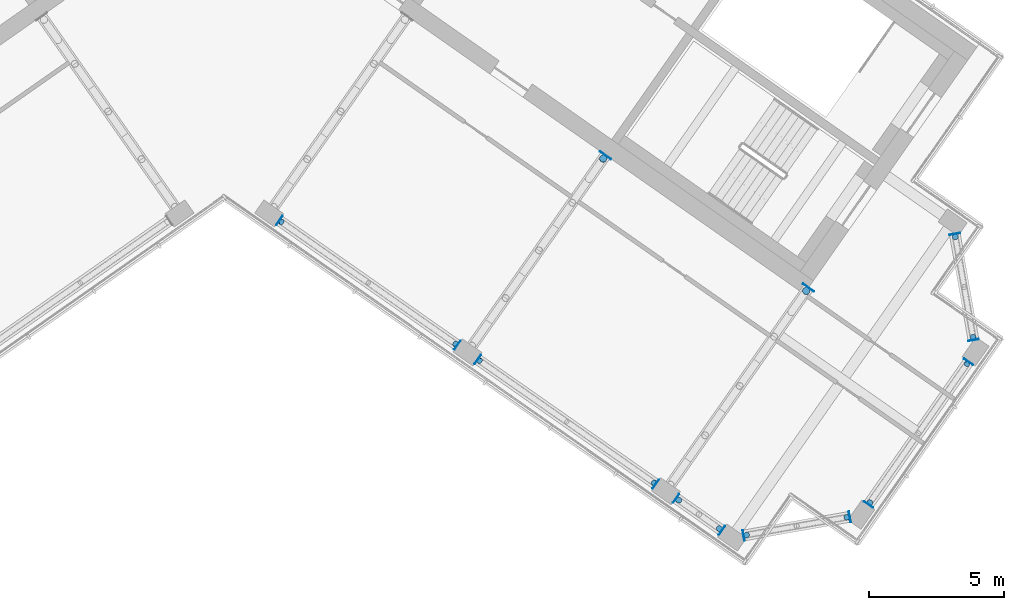
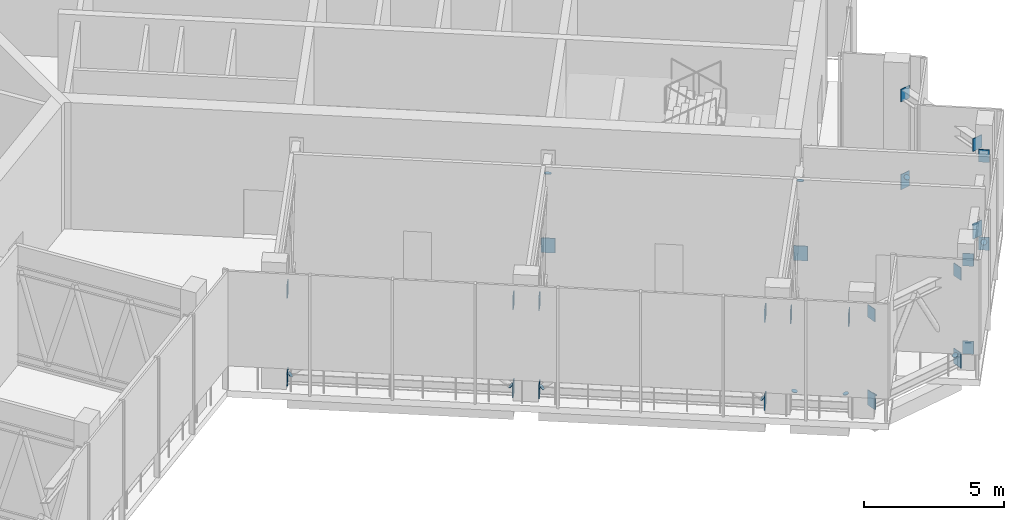
# One storey, part 10 of 16: 38 discrete accessories.
"""IFC4 building model written with IfcOpenShell, lengths in metres."""

import ifcopenshell
import ifcopenshell.guid

model = None  # the IFC model being written
_history = None  # IfcOwnerHistory: only IFC2X3 demands one
_inside = {}  # id of a spatial element -> (the spatial element, [elements in it])
_under = {}  # id of a project, library or spatial element -> (it, [spatial elements below it])
_declared = {}  # id of a project -> (the project, [libraries it declares])
_typed = {}  # id of a type object -> (the type object, [elements of that type])
_made_of = {}  # id of a material, layer set ... -> (it, [elements and type objects made of it])


def new_model(schema):
    """Start an empty IFC model of exactly this schema.

    Asked for "IFC4X3", IfcOpenShell would pick the latest addendum, in which some entities
    have other attributes; the version numbers below select the first issue.
    IFC2X3 requires an IfcOwnerHistory on every rooted entity: one is made here for all.
    """
    global model, _history
    if schema == "IFC4X3":
        model = ifcopenshell.file(schema_version=(4, 3, 0, 0))
    else:
        model = ifcopenshell.file(schema=schema)
    _inside.clear()
    _under.clear()
    _declared.clear()
    _typed.clear()
    _made_of.clear()
    _history = None
    if model.schema == "IFC2X3":
        org = make("IfcOrganization", Name="unknown")
        user = make(
            "IfcPersonAndOrganization",
            ThePerson=make("IfcPerson", FamilyName="unknown"),
            TheOrganization=org,
        )
        app = make(
            "IfcApplication",
            ApplicationDeveloper=org,
            Version="unknown",
            ApplicationFullName="unknown",
            ApplicationIdentifier="unknown",
        )
        _history = make(
            "IfcOwnerHistory",
            OwningUser=user,
            OwningApplication=app,
            ChangeAction="ADDED",
            CreationDate=0,
        )
    return model


def make(cls, **values):
    """One entity of the class cls with the attributes given. An attribute that is None is left unset."""
    return model.create_entity(
        cls, **{name: value for name, value in values.items() if value is not None}
    )


def rooted(cls, **values):
    """An entity with a GlobalId (a new one), such as an element, a storey or a relation."""
    return make(cls, GlobalId=ifcopenshell.guid.new(), OwnerHistory=_history, **values)


def si_unit(unit_type, name, prefix=None):
    """IfcSIUnit, for example si_unit("LENGTHUNIT", "METRE", prefix="MILLI")."""
    return make("IfcSIUnit", UnitType=unit_type, Prefix=prefix, Name=name)


def assignment(units):
    """IfcUnitAssignment: the units of a project."""
    return None if units is None else make("IfcUnitAssignment", Units=units)


def point(xyz):
    """IfcCartesianPoint."""
    return None if xyz is None else make("IfcCartesianPoint", Coordinates=xyz)


def direction(xyz):
    """IfcDirection."""
    return None if xyz is None else make("IfcDirection", DirectionRatios=xyz)


def frame(location, z_axis=None, x_axis=None):
    """IfcAxis2Placement3D, a coordinate frame: its origin and axes. An axis left out is left unset."""
    return make(
        "IfcAxis2Placement3D",
        Location=point(location),
        Axis=direction(z_axis),
        RefDirection=direction(x_axis),
    )


def frame_2d(location, x_axis=None):
    """IfcAxis2Placement2D, a coordinate frame in the plane: its origin and x axis."""
    return make(
        "IfcAxis2Placement2D", Location=point(location), RefDirection=direction(x_axis)
    )


def origin():
    """The frame at (0, 0, 0) with its axes left unset."""
    return frame((0.0, 0.0, 0.0))


def origin_2d():
    """The frame at (0, 0) in the plane with its x axis left unset."""
    return frame_2d((0.0, 0.0))


def place(relative_to, where):
    """IfcLocalPlacement: puts the frame where relative to a parent placement (None: the world)."""
    return make(
        "IfcLocalPlacement", PlacementRelTo=relative_to, RelativePlacement=where
    )


def context(
    kind, dimensions, precision=None, world=None, true_north=None, identifier=None
):
    """IfcGeometricRepresentationContext, for example the 3D "Model" context."""
    return make(
        "IfcGeometricRepresentationContext",
        ContextIdentifier=identifier,
        ContextType=kind,
        CoordinateSpaceDimension=dimensions,
        Precision=precision,
        WorldCoordinateSystem=world,
        TrueNorth=true_north,
    )


def subcontext(parent, identifier, kind, view, scale=None):
    """IfcGeometricRepresentationSubContext, for example "Body" below "Model"."""
    return make(
        "IfcGeometricRepresentationSubContext",
        ContextIdentifier=identifier,
        ContextType=kind,
        ParentContext=parent,
        TargetScale=scale,
        TargetView=view,
    )


def project(units=None, contexts=None):
    """IfcProject with its units and contexts."""
    return rooted(
        "IfcProject",
        Name="project",
        RepresentationContexts=contexts,
        UnitsInContext=assignment(units),
    )


def spatial(cls, under=None, at=None, **own):
    """A site, building, storey or space (cls), placed at a placement, below another one or the project."""
    s = rooted(cls, ObjectPlacement=at, **own)
    if under is not None:
        _under.setdefault(under.id(), (under, []))[1].append(s)
    return s


def profile(cls, at=None, kind="AREA", **sizes):
    """A parametric profile (cls). Its sizes go by their IFC names, for example OverallWidth=200.0."""
    return make(cls, ProfileType=kind, Position=at, **sizes)


def rectangle(**sizes):
    """IfcRectangleProfileDef."""
    return profile("IfcRectangleProfileDef", **sizes)


def circle(**sizes):
    """IfcCircleProfileDef."""
    return profile("IfcCircleProfileDef", **sizes)


def extrude(swept, where, along, depth):
    """IfcExtrudedAreaSolid: the profile swept, set in the frame where, extruded along a direction by depth."""
    return make(
        "IfcExtrudedAreaSolid",
        SweptArea=swept,
        Position=where,
        ExtrudedDirection=direction(along),
        Depth=depth,
    )


def shape(context_of_items, identifier, shape_type, items):
    """IfcShapeRepresentation: the items that make up one representation, for example the "Body"."""
    return make(
        "IfcShapeRepresentation",
        ContextOfItems=context_of_items,
        RepresentationIdentifier=identifier,
        RepresentationType=shape_type,
        Items=items,
    )


def material(Name=None, Category=None):
    """IfcMaterial."""
    return make("IfcMaterial", Name=Name, Category=Category)


def layer(
    of_material, thickness, ventilated=None, Name=None, Category=None, Priority=None
):
    """IfcMaterialLayer: one layer of a wall or slab, of a material (None: an air gap)."""
    return make(
        "IfcMaterialLayer",
        Material=of_material,
        LayerThickness=thickness,
        IsVentilated=ventilated,
        Name=Name,
        Category=Category,
        Priority=Priority,
    )


def layer_set(layers, Name=None):
    """IfcMaterialLayerSet."""
    return make("IfcMaterialLayerSet", MaterialLayers=layers, LayerSetName=Name)


def material_profile(
    of_material, cross_section, Name=None, Category=None, Priority=None
):
    """IfcMaterialProfile: a cross section and its material."""
    return make(
        "IfcMaterialProfile",
        Name=Name,
        Material=of_material,
        Profile=cross_section,
        Priority=Priority,
        Category=Category,
    )


def profile_set(profiles, Name=None, composite=None):
    """IfcMaterialProfileSet."""
    return make(
        "IfcMaterialProfileSet",
        Name=Name,
        MaterialProfiles=profiles,
        CompositeProfile=composite,
    )


def made_of(thing, what):
    """Note that an element or type object is made of a material, layer set ...; save() writes the relation."""
    if what is not None:
        _made_of.setdefault(what.id(), (what, []))[1].append(thing)
    return thing


def type_object(cls, material=None, **own):
    """A type object (cls), such as IfcWallType, which elements share."""
    return made_of(rooted(cls, **own), material)


def element(
    cls,
    number,
    at=None,
    inside=None,
    cuts=None,
    type_object=None,
    material=None,
    context=None,
    identifier="Body",
    shape_type=None,
    held_by="IfcProductDefinitionShape",
    body=None,
    shapes=None,
    **own,
):
    """One element of the class cls, such as IfcWall. Its Tag is "e" and its number.

    at: its placement. inside: the storey or other place that contains it. cuts: it is an
    opening in that element (IfcRelVoidsElement). A single representation is given by context,
    identifier, shape_type and body (its items); several are given by shapes. held_by: the class
    of the entity that holds the representations. save() writes the other relations.
    """
    e = rooted(cls, Tag="e%d" % number, ObjectPlacement=at, **own)
    if body is not None:
        shapes = [shape(context, identifier, shape_type, body)]
    if shapes is not None:
        e.Representation = make(held_by, Representations=shapes)
    if inside is not None:
        _inside.setdefault(inside.id(), (inside, []))[1].append(e)
    if cuts is not None:
        rooted(
            "IfcRelVoidsElement", RelatingBuildingElement=cuts, RelatedOpeningElement=e
        )
    if type_object is not None:
        _typed.setdefault(type_object.id(), (type_object, []))[1].append(e)
    return made_of(e, material)


def aggregate(whole, parts):
    """IfcRelAggregates: a whole, such as a stair, and the parts it consists of."""
    return rooted("IfcRelAggregates", RelatingObject=whole, RelatedObjects=parts)


def save(model, path):
    """Write the relations noted so far, then the file.

    IfcRelAggregates (storeys below a building ...), IfcRelContainedInSpatialStructure (elements
    in a storey), IfcRelDefinesByType, IfcRelAssociatesMaterial and IfcRelDeclares: one each for
    every whole, place, type object, material and project.
    """
    for whole, parts in _under.values():
        aggregate(whole, parts)
    for where, things in _inside.values():
        rooted(
            "IfcRelContainedInSpatialStructure",
            RelatedElements=things,
            RelatingStructure=where,
        )
    for kind, things in _typed.values():
        rooted("IfcRelDefinesByType", RelatedObjects=things, RelatingType=kind)
    for what, things in _made_of.values():
        rooted("IfcRelAssociatesMaterial", RelatedObjects=things, RelatingMaterial=what)
    for by, libraries in _declared.values():
        rooted("IfcRelDeclares", RelatingContext=by, RelatedDefinitions=libraries)
    model.write(path)


model = new_model("IFC4")

# Units and contexts
model_context = context("Model", 3, precision=1e-05, world=origin(), true_north=direction((0.0, 1.0)))
body_context = subcontext(model_context, "Body", "Model", "MODEL_VIEW")
ifc_project = project(units=[si_unit("LENGTHUNIT", "METRE"), si_unit("AREAUNIT", "SQUARE_METRE"), si_unit("VOLUMEUNIT", "CUBIC_METRE"), si_unit("PLANEANGLEUNIT", "RADIAN"), si_unit("MASSUNIT", "GRAM", prefix="KILO")], contexts=[model_context])

# Site, building, storey
site_placement = place(None, origin())
site = spatial("IfcSite", under=ifc_project, at=site_placement, CompositionType="ELEMENT")
building_placement = place(site_placement, origin())
building = spatial("IfcBuilding", under=site, at=building_placement, Name="Tel Ilan Convention Tower", CompositionType="ELEMENT")
storey_placement = place(building_placement, frame((0.0, 0.0, 313.300048828125)))
storey = spatial("IfcBuildingStorey", under=building, at=storey_placement, Name="L74", CompositionType="ELEMENT", Elevation=313.300048828125)

# Discrete accessories
ifc_material_1 = material(Name="Steel S355", Category="steel")
ifc_layer_1 = layer(ifc_material_1, 0.030029296875)
ifc_layer_set_1 = layer_set([ifc_layer_1], Name="Cast-in Plate 30 mm Steel S355")
discrete_accessory_type_1 = type_object("IfcDiscreteAccessoryType", Name="Cast-in Plate 30 mm Steel S355", PredefinedType="ANCHORPLATE", material=ifc_layer_set_1)
for number, where, z_axis, x_axis, name in (
    (1, (14.16259765625, -11.15576171875, 0.02978515625), (0.0, 0.0, 1.0), (0.573576436351, 0.819152044289, 0.0), "L74 E-F2 outrigger cast-in plate"),
    (2, (21.70703125, -16.072265625, 0.02978515625), (0.0, 0.0, 1.0), (0.573576436351, 0.819152044289, 0.0), "L74 E-F3 outrigger cast-in plate"),
):
    element("IfcDiscreteAccessory", number, at=place(storey_placement, frame(where, z_axis=z_axis, x_axis=x_axis)), inside=storey, type_object=discrete_accessory_type_1, Name=name, PredefinedType="ANCHORPLATE", context=body_context, shape_type="SweptSolid", body=[
        extrude(rectangle(XDim=0.030029296875, YDim=0.5, at=origin_2d()), origin(), (0.0, 0.0, 1.0), 0.639892578125),
    ])
ifc_material_2 = material(Name="Steel S355", Category="steel")
ifc_material_profile_1 = material_profile(ifc_material_2, circle(Radius=0.109619140625, at=origin_2d()), Name="End Cap Disc 219 mm Steel S355")
ifc_profile_set_1 = profile_set([ifc_material_profile_1], Name="Steel S355")
discrete_accessory_type_2 = type_object("IfcDiscreteAccessoryType", Name="End Cap Disc 219 mm Steel S355", PredefinedType="BRACKET", material=ifc_profile_set_1)
for number, where, z_axis, x_axis, name in (
    (3, (2.1279296875, -13.63671875, 0.458251953125), (-0.593950302218, 0.412128781131, -0.690921780131), (-0.570081548206, -0.821588113591, 0.0), "L74 E-F1-E-F2 belt end cap"),
    (4, (8.5751953125, -18.15087890625, 0.458251953125), (0.583029399948, -0.425125604129, -0.692347412438), (0.589172157449, 0.808007530216, 0.0), "L74 E-F1-E-F2 belt end cap"),
    (5, (9.500244140625, -18.798828125, 0.458251953125), (-0.593950302218, 0.412128781131, -0.690921780131), (-0.570081548206, -0.821588113591, 0.0), "L74 E-F2-E-F3 belt end cap"),
    (6, (15.947509765625, -23.313232421875, 0.458251953125), (0.586019869564, -0.415097407608, -0.695898595108), (0.57801734078, 0.816024481102, 0.0), "L74 E-F2-E-F3 belt end cap"),
    (7, (16.889892578125, -23.97314453125, 0.844482421875), (-0.219757451087, 0.146504967391, -0.964491035325), (-0.554700196225, -0.832050294338, 0.0), "L74 E-F3-E-FC belt end cap"),
    (8, (18.387451171875, -25.021728515625, 0.844482421875), (0.2193491466, -0.1584188281, -0.962699032299), (0.585490553844, 0.8106792284, 0.0), "L74 E-F3-E-FC belt end cap"),
    (9, (19.41455078125, -25.261474609375, 0.5986328125), (-0.465496159673, -0.073499393633, -0.88199272359), (0.155962573473, -0.987762965329, 0.0), "L74 E-FC-E-E1 belt end cap"),
    (10, (23.125244140625, -24.607177734375, 0.5986328125), (0.465042782522, 0.085665775728, -0.8811336932), (-0.181162429477, 0.983453188589, 0.0), "L74 E-FC-E-E1 belt end cap"),
    (11, (24.0, -24.04248046875, 0.49267578125), (-0.367056588174, -0.538349662656, -0.75858361556), (0.826227342808, -0.563336824642, 0.0), "L74 E-E1-E-E2 belt end cap"),
    (12, (27.589111328125, -18.9169921875, 0.49267578125), (0.367056588174, 0.538349662656, -0.75858361556), (-0.826227342808, 0.563336824642, 0.0), "L74 E-E1-E-E2 belt end cap"),
):
    element("IfcDiscreteAccessory", number, at=place(storey_placement, frame(where, z_axis=z_axis, x_axis=x_axis)), inside=storey, type_object=discrete_accessory_type_2, Name=name, PredefinedType="BRACKET", context=body_context, shape_type="SweptSolid", body=[
        extrude(circle(Radius=0.109619140625, at=origin_2d()), origin(), (0.0, 0.0, 1.0), 0.02001953125),
    ])
for number, where, z_axis, x_axis, name in (
    (13, (27.8203125, -17.90185546875, 0.5986328125), (0.086150991494, -0.455369526467, -0.886124483936), (0.982570245697, 0.185891668105, 0.0), "L74 E-E2-E-BC belt end cap"),
    (14, (27.166015625, -14.19091796875, 0.5986328125), (-0.073916517372, 0.455818523796, -0.886998208467), (-0.987105477748, -0.160071158554, 0.0), "L74 E-E2-E-BC belt end cap"),
):
    element("IfcDiscreteAccessory", number, at=place(storey_placement, frame(where, z_axis=z_axis, x_axis=x_axis)), inside=storey, type_object=discrete_accessory_type_2, Name=name, PredefinedType="BRACKET", context=body_context, shape_type="SweptSolid", body=[
        extrude(circle(Radius=0.109619140625, at=origin_2d()), origin(), (0.0, 0.0, 1.0), 0.019775390625),
    ])
ifc_material_3 = material(Name="Steel S355", Category="steel")
ifc_material_profile_2 = material_profile(ifc_material_3, circle(Radius=0.136474609375, at=origin_2d()), Name="End Cap Disc 273 mm Steel S355")
ifc_profile_set_2 = profile_set([ifc_material_profile_2], Name="Steel S355")
discrete_accessory_type_3 = type_object("IfcDiscreteAccessoryType", Name="End Cap Disc 273 mm Steel S355", PredefinedType="BRACKET", material=ifc_profile_set_2)
for number, where, z_axis, x_axis, name in (
    (15, (14.075439453125, -11.2802734375, 3.58056640625), (0.157985396841, 0.230901733845, 0.960065103882), (-0.82530726125, 0.564683915592, 0.0), "L74 E-F2 outrigger end cap"),
    (16, (21.6201171875, -16.196533203125, 3.60107421875), (0.157985396841, 0.230901733845, 0.960065103882), (-0.82530726125, 0.564683915592, 0.0), "L74 E-F3 outrigger end cap"),
):
    element("IfcDiscreteAccessory", number, at=place(storey_placement, frame(where, z_axis=z_axis, x_axis=x_axis)), inside=storey, type_object=discrete_accessory_type_3, Name=name, PredefinedType="BRACKET", context=body_context, shape_type="SweptSolid", body=[
        extrude(circle(Radius=0.136474609375, at=origin_2d()), origin(), (0.0, 0.0, 1.0), 0.02001953125),
    ])
ifc_material_4 = material(Name="Steel S355", Category="steel")
ifc_layer_2 = layer(ifc_material_4, 0.02490234375)
ifc_layer_set_2 = layer_set([ifc_layer_2], Name="End Plate 25 mm Steel S355")
discrete_accessory_type_4 = type_object("IfcDiscreteAccessoryType", Name="End Plate 25 mm Steel S355", PredefinedType="BRACKET", material=ifc_layer_set_2)
for number, where, z_axis, x_axis, name in (
    (17, (2.044189453125, -13.577880859375, 0.07470703125), (0.0, 0.0, 1.0), (-0.819152044289, 0.573576436351, 0.0), "L74 E-F1-E-F2 belt end plate"),
    (18, (2.044189453125, -13.577880859375, 3.89501953125), (0.0, 0.0, 1.0), (-0.819152044289, 0.573576436351, 0.0), "L74 E-F1-E-F2 belt end plate"),
    (19, (8.65869140625, -18.209716796875, 0.07470703125), (0.0, 0.0, 1.0), (0.819152044289, -0.573576436351, 0.0), "L74 E-F1-E-F2 belt end plate"),
    (20, (8.65869140625, -18.209716796875, 3.89501953125), (0.0, 0.0, 1.0), (0.819152044289, -0.573576436351, 0.0), "L74 E-F1-E-F2 belt end plate"),
    (21, (9.41650390625, -18.740234375, 0.07470703125), (0.0, 0.0, 1.0), (-0.819152044289, 0.573576436351, 0.0), "L74 E-F2-E-F3 belt end plate"),
    (22, (9.41650390625, -18.740234375, 3.89501953125), (0.0, 0.0, 1.0), (-0.819152044289, 0.573576436351, 0.0), "L74 E-F2-E-F3 belt end plate"),
    (23, (16.03125, -23.371826171875, 0.07470703125), (0.0, 0.0, 1.0), (0.819152044289, -0.573576436351, 0.0), "L74 E-F2-E-F3 belt end plate"),
    (24, (16.03125, -23.371826171875, 3.89501953125), (0.0, 0.0, 1.0), (0.819152044289, -0.573576436351, 0.0), "L74 E-F2-E-F3 belt end plate"),
    (25, (16.788818359375, -23.90234375, 3.89501953125), (0.0, 0.0, 1.0), (-0.819152044289, 0.573576436351, 0.0), "L74 E-F3-E-FC belt end plate"),
    (26, (18.488525390625, -25.092529296875, 3.89501953125), (0.0, 0.0, 1.0), (0.819152044289, -0.573576436351, 0.0), "L74 E-F3-E-FC belt end plate"),
):
    element("IfcDiscreteAccessory", number, at=place(storey_placement, frame(where, z_axis=z_axis, x_axis=x_axis)), inside=storey, type_object=discrete_accessory_type_4, Name=name, PredefinedType="BRACKET", context=body_context, shape_type="SweptSolid", body=[
        extrude(rectangle(XDim=0.02490234375, YDim=0.39990234375, at=origin_2d()), origin(), (0.0, 0.0, 1.0), 0.550048828125),
    ])
discrete_accessory_1_placement = place(storey_placement, frame((19.297607421875, -25.281982421875, 0.074951171875), z_axis=(0.0, 0.0, 1.0), x_axis=(-0.984807753012, -0.173648177667, 0.0)))
element("IfcDiscreteAccessory", 27, at=discrete_accessory_1_placement, inside=storey, type_object=discrete_accessory_type_4, Name="L74 E-FC-E-E1 belt end plate", PredefinedType="BRACKET", context=body_context, shape_type="SweptSolid", body=[
    extrude(rectangle(XDim=0.02490234375, YDim=0.39990234375, at=origin_2d()), origin(), (0.0, 0.0, 1.0), 0.66552734375),
])
discrete_accessory_2_placement = place(storey_placement, frame((19.297607421875, -25.281982421875, 3.89501953125), z_axis=(0.0, 0.0, 1.0), x_axis=(-0.984807753012, -0.173648177667, 0.0)))
element("IfcDiscreteAccessory", 28, at=discrete_accessory_2_placement, inside=storey, type_object=discrete_accessory_type_4, Name="L74 E-FC-E-E1 belt end plate", PredefinedType="BRACKET", context=body_context, shape_type="SweptSolid", body=[
    extrude(rectangle(XDim=0.02490234375, YDim=0.39990234375, at=origin_2d()), origin(), (0.0, 0.0, 1.0), 0.550048828125),
])
discrete_accessory_3_placement = place(storey_placement, frame((23.2421875, -24.58642578125, 0.074951171875), z_axis=(0.0, 0.0, 1.0), x_axis=(0.984807753012, 0.173648177667, 0.0)))
element("IfcDiscreteAccessory", 29, at=discrete_accessory_3_placement, inside=storey, type_object=discrete_accessory_type_4, Name="L74 E-FC-E-E1 belt end plate", PredefinedType="BRACKET", context=body_context, shape_type="SweptSolid", body=[
    extrude(rectangle(XDim=0.02490234375, YDim=0.39990234375, at=origin_2d()), origin(), (0.0, 0.0, 1.0), 0.66552734375),
])
discrete_accessory_4_placement = place(storey_placement, frame((23.2421875, -24.58642578125, 3.89501953125), z_axis=(0.0, 0.0, 1.0), x_axis=(0.984807753012, 0.173648177667, 0.0)))
element("IfcDiscreteAccessory", 30, at=discrete_accessory_4_placement, inside=storey, type_object=discrete_accessory_type_4, Name="L74 E-FC-E-E1 belt end plate", PredefinedType="BRACKET", context=body_context, shape_type="SweptSolid", body=[
    extrude(rectangle(XDim=0.02490234375, YDim=0.39990234375, at=origin_2d()), origin(), (0.0, 0.0, 1.0), 0.550048828125),
])
discrete_accessory_5_placement = place(storey_placement, frame((23.937744140625, -24.1318359375, 0.074951171875), z_axis=(0.0, 0.0, 1.0), x_axis=(-0.573576436351, -0.819152044289, 0.0)))
element("IfcDiscreteAccessory", 31, at=discrete_accessory_5_placement, inside=storey, type_object=discrete_accessory_type_4, Name="L74 E-E1-E-E2 belt end plate", PredefinedType="BRACKET", context=body_context, shape_type="SweptSolid", body=[
    extrude(rectangle(XDim=0.02490234375, YDim=0.39990234375, at=origin_2d()), origin(), (0.0, 0.0, 1.0), 0.56201171875),
])
discrete_accessory_6_placement = place(storey_placement, frame((23.937744140625, -24.1318359375, 3.89501953125), z_axis=(0.0, 0.0, 1.0), x_axis=(-0.573576436351, -0.819152044289, 0.0)))
element("IfcDiscreteAccessory", 32, at=discrete_accessory_6_placement, inside=storey, type_object=discrete_accessory_type_4, Name="L74 E-E1-E-E2 belt end plate", PredefinedType="BRACKET", context=body_context, shape_type="SweptSolid", body=[
    extrude(rectangle(XDim=0.02490234375, YDim=0.39990234375, at=origin_2d()), origin(), (0.0, 0.0, 1.0), 0.550048828125),
])
discrete_accessory_7_placement = place(storey_placement, frame((27.651611328125, -18.827880859375, 0.074951171875), z_axis=(0.0, 0.0, 1.0), x_axis=(0.573576436351, 0.819152044289, 0.0)))
element("IfcDiscreteAccessory", 33, at=discrete_accessory_7_placement, inside=storey, type_object=discrete_accessory_type_4, Name="L74 E-E1-E-E2 belt end plate", PredefinedType="BRACKET", context=body_context, shape_type="SweptSolid", body=[
    extrude(rectangle(XDim=0.02490234375, YDim=0.39990234375, at=origin_2d()), origin(), (0.0, 0.0, 1.0), 0.56201171875),
])
discrete_accessory_8_placement = place(storey_placement, frame((27.651611328125, -18.827880859375, 3.89501953125), z_axis=(0.0, 0.0, 1.0), x_axis=(0.573576436351, 0.819152044289, 0.0)))
element("IfcDiscreteAccessory", 34, at=discrete_accessory_8_placement, inside=storey, type_object=discrete_accessory_type_4, Name="L74 E-E1-E-E2 belt end plate", PredefinedType="BRACKET", context=body_context, shape_type="SweptSolid", body=[
    extrude(rectangle(XDim=0.02490234375, YDim=0.39990234375, at=origin_2d()), origin(), (0.0, 0.0, 1.0), 0.550048828125),
])
discrete_accessory_9_placement = place(storey_placement, frame((27.1455078125, -14.07421875, 0.074951171875), z_axis=(0.0, 0.0, 1.0), x_axis=(-0.173648177667, 0.984807753012, 0.0)))
element("IfcDiscreteAccessory", 35, at=discrete_accessory_9_placement, inside=storey, type_object=discrete_accessory_type_4, Name="L74 E-E2-E-BC belt end plate", PredefinedType="BRACKET", context=body_context, shape_type="SweptSolid", body=[
    extrude(rectangle(XDim=0.02490234375, YDim=0.39990234375, at=origin_2d()), origin(), (0.0, 0.0, 1.0), 0.66552734375),
])
discrete_accessory_10_placement = place(storey_placement, frame((27.1455078125, -14.07421875, 3.89501953125), z_axis=(0.0, 0.0, 1.0), x_axis=(-0.173648177667, 0.984807753012, 0.0)))
element("IfcDiscreteAccessory", 36, at=discrete_accessory_10_placement, inside=storey, type_object=discrete_accessory_type_4, Name="L74 E-E2-E-BC belt end plate", PredefinedType="BRACKET", context=body_context, shape_type="SweptSolid", body=[
    extrude(rectangle(XDim=0.02490234375, YDim=0.39990234375, at=origin_2d()), origin(), (0.0, 0.0, 1.0), 0.550048828125),
])
discrete_accessory_11_placement = place(storey_placement, frame((27.841064453125, -18.018798828125, 0.074951171875), z_axis=(0.0, 0.0, 1.0), x_axis=(0.173648177667, -0.984807753012, 0.0)))
element("IfcDiscreteAccessory", 37, at=discrete_accessory_11_placement, inside=storey, type_object=discrete_accessory_type_4, Name="L74 E-E2-E-BC belt end plate", PredefinedType="BRACKET", context=body_context, shape_type="SweptSolid", body=[
    extrude(rectangle(XDim=0.02490234375, YDim=0.39990234375, at=origin_2d()), origin(), (0.0, 0.0, 1.0), 0.66552734375),
])
discrete_accessory_12_placement = place(storey_placement, frame((27.841064453125, -18.018798828125, 3.89501953125), z_axis=(0.0, 0.0, 1.0), x_axis=(0.173648177667, -0.984807753012, 0.0)))
element("IfcDiscreteAccessory", 38, at=discrete_accessory_12_placement, inside=storey, type_object=discrete_accessory_type_4, Name="L74 E-E2-E-BC belt end plate", PredefinedType="BRACKET", context=body_context, shape_type="SweptSolid", body=[
    extrude(rectangle(XDim=0.02490234375, YDim=0.39990234375, at=origin_2d()), origin(), (0.0, 0.0, 1.0), 0.550048828125),
])

save(model, "model.ifc")
